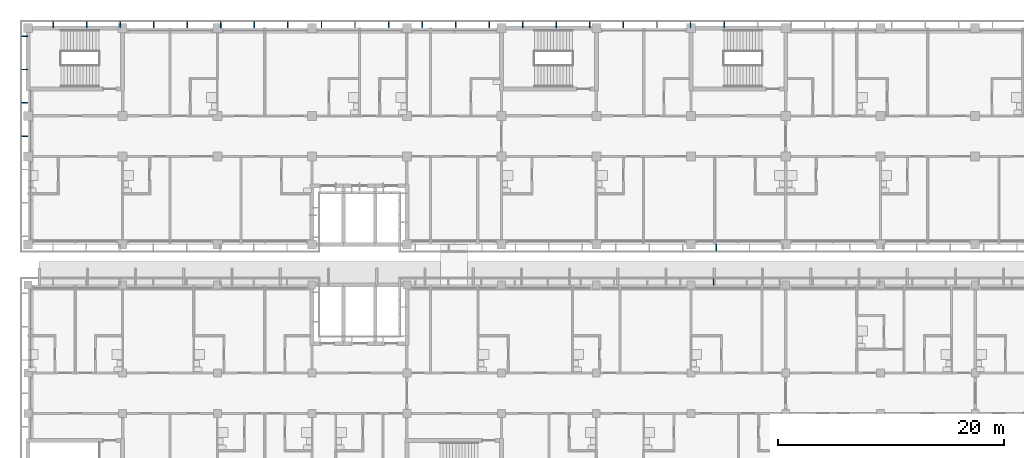
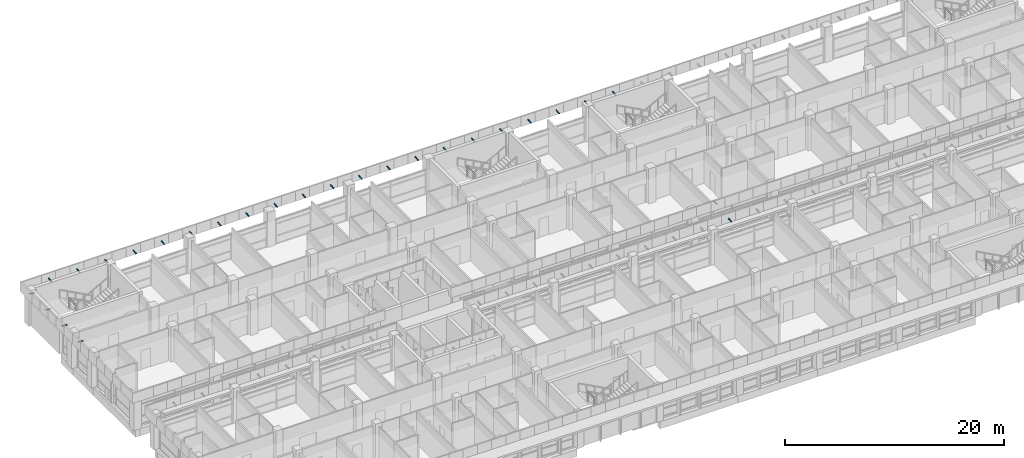
# One storey, part 49 of 71: 27 discrete accessories.
"""IFC4 building model written with IfcOpenShell, lengths in metres."""

from ifc_helpers import new_model, si_unit, direction, frame, origin, origin_2d, place, context, subcontext, project, spatial, rectangle, extrude, material, material_profile, profile_set, type_object, element, save


model = new_model("IFC4")

# Units and contexts
model_context = context("Model", 3, precision=1e-05, world=origin(), true_north=direction((0.0, 1.0)))
body_context = subcontext(model_context, "Body", "Model", "MODEL_VIEW")
ifc_project = project(units=[si_unit("LENGTHUNIT", "METRE"), si_unit("AREAUNIT", "SQUARE_METRE"), si_unit("VOLUMEUNIT", "CUBIC_METRE"), si_unit("PLANEANGLEUNIT", "RADIAN"), si_unit("MASSUNIT", "GRAM", prefix="KILO")], contexts=[model_context])

# Site, building, storey
site_placement = place(None, origin())
site = spatial("IfcSite", under=ifc_project, at=site_placement, CompositionType="ELEMENT")
building_placement = place(site_placement, origin())
building = spatial("IfcBuilding", under=site, at=building_placement, Name="Bougainvillea Quay General Hospital", CompositionType="ELEMENT")
storey_placement = place(building_placement, frame((0.0, 0.0, 24.89990234375)))
storey = spatial("IfcBuildingStorey", under=building, at=storey_placement, Name="L05", CompositionType="ELEMENT", Elevation=24.89990234375)

# Discrete accessories
ifc_material = material(Name="Stainless steel bracket, grade 316", Category="steel")
ifc_material_profile = material_profile(ifc_material, rectangle(XDim=0.080078125, YDim=0.050048828125, at=origin_2d()))
ifc_profile_set = profile_set([ifc_material_profile], Name="Stainless steel bracket, grade 316")
discrete_accessory_type = type_object("IfcDiscreteAccessoryType", Name="Stainless steel stand-off bracket 80x50", PredefinedType="BRACKET", material=ifc_profile_set)
for number, where, z_axis, x_axis, name in (
    (1, (103.731201171875, 159.60009765625, 3.840087890625), (0.0, 0.994086591779, 0.108590276011), (-1.0, 0.0, 0.0), "Fascia bracket e0 55"),
    (2, (100.75634765625, 159.60009765625, 3.840087890625), (0.0, 0.994086591779, 0.108590276011), (-1.0, 0.0, 0.0), "Fascia bracket e0 57"),
    (3, (97.78125, 159.60009765625, 3.840087890625), (0.0, 0.994086591779, 0.108590276011), (-1.0, 0.0, 0.0), "Fascia bracket e0 59"),
    (4, (94.80615234375, 159.60009765625, 3.840087890625), (0.0, 0.994086591779, 0.108590276011), (-1.0, 0.0, 0.0), "Fascia bracket e0 61"),
    (5, (91.831298828125, 159.60009765625, 3.840087890625), (0.0, 0.994086591779, 0.108590276011), (-1.0, 0.0, 0.0), "Fascia bracket e0 63"),
    (6, (88.856201171875, 159.60009765625, 3.840087890625), (0.0, 0.994086591779, 0.108590276011), (-1.0, 0.0, 0.0), "Fascia bracket e0 65"),
    (7, (85.88134765625, 159.60009765625, 3.840087890625), (0.0, 0.994086591779, 0.108590276011), (-1.0, 0.0, 0.0), "Fascia bracket e0 67"),
    (8, (82.90625, 159.60009765625, 3.840087890625), (0.0, 0.994086591779, 0.108590276011), (-1.0, 0.0, 0.0), "Fascia bracket e0 69"),
    (9, (79.93115234375, 159.60009765625, 3.840087890625), (0.0, 0.994086591779, 0.108590276011), (-1.0, 0.0, 0.0), "Fascia bracket e0 71"),
    (10, (76.956298828125, 159.60009765625, 3.840087890625), (0.0, 0.994086591779, 0.108590276011), (-1.0, 0.0, 0.0), "Fascia bracket e0 73"),
    (11, (73.981201171875, 159.60009765625, 3.840087890625), (0.0, 0.994086591779, 0.108590276011), (-1.0, 0.0, 0.0), "Fascia bracket e0 75"),
    (12, (71.00634765625, 159.60009765625, 3.840087890625), (0.0, 0.994086591779, 0.108590276011), (-1.0, 0.0, 0.0), "Fascia bracket e0 77"),
    (13, (68.03125, 159.60009765625, 3.840087890625), (0.0, 0.994086591779, 0.108590276011), (-1.0, 0.0, 0.0), "Fascia bracket e0 79"),
    (14, (65.05615234375, 159.60009765625, 3.840087890625), (0.0, 0.994086591779, 0.108590276011), (-1.0, 0.0, 0.0), "Fascia bracket e0 81"),
    (15, (62.081298828125, 159.60009765625, 3.840087890625), (0.0, 0.994086591779, 0.108590276011), (-1.0, 0.0, 0.0), "Fascia bracket e0 83"),
    (16, (59.106201171875, 159.60009765625, 3.840087890625), (0.0, 0.994086591779, 0.108590276011), (-1.0, 0.0, 0.0), "Fascia bracket e0 85"),
    (17, (56.13134765625, 159.60009765625, 3.840087890625), (0.0, 0.994086591779, 0.108590276011), (-1.0, 0.0, 0.0), "Fascia bracket e0 87"),
    (18, (53.15625, 159.60009765625, 3.840087890625), (0.0, 0.994086591779, 0.108590276011), (-1.0, 0.0, 0.0), "Fascia bracket e0 89"),
    (19, (50.18115234375, 159.60009765625, 3.840087890625), (0.0, 0.994086591779, 0.108590276011), (-1.0, 0.0, 0.0), "Fascia bracket e0 91"),
    (20, (47.206298828125, 159.60009765625, 3.840087890625), (0.0, 0.994086591779, 0.108590276011), (-1.0, 0.0, 0.0), "Fascia bracket e0 93"),
    (21, (44.231201171875, 159.60009765625, 3.840087890625), (0.0, 0.994086591779, 0.108590276011), (-1.0, 0.0, 0.0), "Fascia bracket e0 95"),
):
    element("IfcDiscreteAccessory", number, at=place(storey_placement, frame(where, z_axis=z_axis, x_axis=x_axis)), inside=storey, type_object=discrete_accessory_type, Name=name, PredefinedType="BRACKET", context=body_context, shape_type="SweptSolid", body=[
        extrude(rectangle(XDim=0.080078125, YDim=0.050048828125, at=origin_2d()), origin(), (0.0, 0.0, 1.0), 0.552978515625),
    ])
for number, where, z_axis, x_axis, name in (
    (22, (42.0, 158.861572265625, 3.840087890625), (-0.994091793559, 0.0, 0.108542645901), (0.0, -1.0, 0.0), "Fascia bracket e0 97"),
    (23, (42.0, 155.90771484375, 3.840087890625), (-0.994091793559, 0.0, 0.108542645901), (0.0, -1.0, 0.0), "Fascia bracket e0 99"),
    (24, (42.0, 152.953857421875, 3.840087890625), (-0.994091793559, 0.0, 0.108542645901), (0.0, -1.0, 0.0), "Fascia bracket e0 101"),
    (25, (42.0, 150.0, 3.840087890625), (-0.994091793559, 0.0, 0.108542645901), (0.0, -1.0, 0.0), "Fascia bracket e0 103"),
):
    element("IfcDiscreteAccessory", number, at=place(storey_placement, frame(where, z_axis=z_axis, x_axis=x_axis)), inside=storey, type_object=discrete_accessory_type, Name=name, PredefinedType="BRACKET", context=body_context, shape_type="SweptSolid", body=[
        extrude(rectangle(XDim=0.080078125, YDim=0.050048828125, at=origin_2d()), origin(), (0.0, 0.0, 1.0), 0.55322265625),
    ])
discrete_accessory_1_placement = place(storey_placement, frame((103.0234375, 140.39990234375, 3.840087890625), z_axis=(0.0, -0.994086591779, 0.108590276011), x_axis=(1.0, 0.0, 0.0)))
element("IfcDiscreteAccessory", 26, at=discrete_accessory_1_placement, inside=storey, type_object=discrete_accessory_type, Name="Fascia bracket e0 159", PredefinedType="BRACKET", context=body_context, shape_type="SweptSolid", body=[
    extrude(rectangle(XDim=0.080078125, YDim=0.050048828125, at=origin_2d()), origin(), (0.0, 0.0, 1.0), 0.552978515625),
])
discrete_accessory_2_placement = place(storey_placement, frame((102.794921875, 136.800048828125, 3.840087890625), z_axis=(0.0, 0.994091793559, 0.108542645901), x_axis=(-1.0, 0.0, 0.0)))
element("IfcDiscreteAccessory", 27, at=discrete_accessory_2_placement, inside=storey, type_object=discrete_accessory_type, Name="Fascia bracket e0 163", PredefinedType="BRACKET", context=body_context, shape_type="SweptSolid", body=[
    extrude(rectangle(XDim=0.080078125, YDim=0.050048828125, at=origin_2d()), origin(), (0.0, 0.0, 1.0), 0.55322265625),
])

save(model, "model.ifc")
